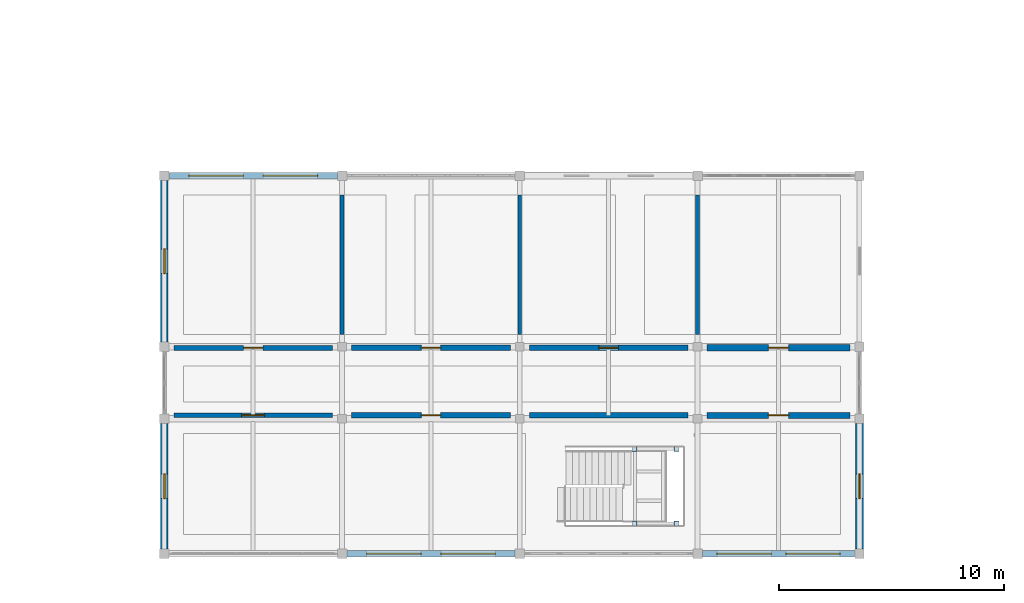
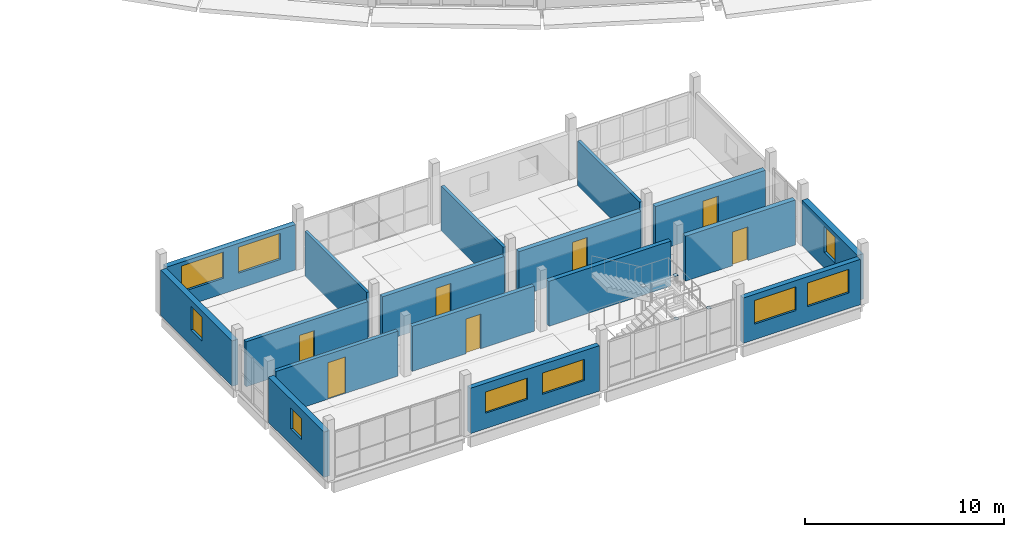
# One storey, part 55 of 77: 17 walls, 9 windows, 7 doors, 4 plates, 16 openings.
"""IFC4 building model written with IfcOpenShell, lengths in metres."""

from ifc_helpers import new_model, si_unit, direction, frame, frame_2d, origin, origin_2d, place, context, subcontext, project, spatial, rectangle, extrude, material, layer, layer_set, type_object, element, fill, save


model = new_model("IFC4")

# Units and contexts
model_context = context("Model", 3, precision=1e-05, world=origin(), true_north=direction((0.0, 1.0)))
body_context = subcontext(model_context, "Body", "Model", "MODEL_VIEW")
ifc_project = project(units=[si_unit("LENGTHUNIT", "METRE"), si_unit("AREAUNIT", "SQUARE_METRE"), si_unit("VOLUMEUNIT", "CUBIC_METRE"), si_unit("PLANEANGLEUNIT", "RADIAN"), si_unit("MASSUNIT", "GRAM", prefix="KILO")], contexts=[model_context])

# Site, building, storey
site_placement = place(None, origin())
site = spatial("IfcSite", under=ifc_project, at=site_placement, CompositionType="ELEMENT")
building_placement = place(site_placement, origin())
building = spatial("IfcBuilding", under=site, at=building_placement, Name="Caldaven Crescent School", CompositionType="ELEMENT")
storey_placement = place(building_placement, frame((0.0, 0.0, 4.419921875)))
storey = spatial("IfcBuildingStorey", under=building, at=storey_placement, Name="L01", CompositionType="ELEMENT", Elevation=4.419921875)

# Plates
ifc_material_1 = material(Name="Steel ASTM A572 Grade 50", Category="steel")
ifc_layer_1 = layer(ifc_material_1, 0.01806640625)
ifc_layer_set_1 = layer_set([ifc_layer_1], Name="Steel ASTM A572 Grade 50")
plate_type = type_object("IfcPlateType", Name="PLT-CAP18", PredefinedType="USERDEFINED", material=ifc_layer_set_1)
for number, where, z_axis, x_axis, name in (
    (1, (46.389892578125, 5.5400390625, 1.675048828125), (0.0, 0.0, 1.0), (1.0, 0.0, 0.0), "CAP-STPOST-STV4S-L01-A"),
    (2, (46.389892578125, 8.860107421875, 1.675048828125), (0.0, 0.0, 1.0), (1.0, 0.0, 0.0), "CAP-STPOST-STV4S-L01-B"),
    (3, (48.27001953125, 5.5400390625, 1.675048828125), (0.0, 0.0, 1.0), (1.0, 0.0, 0.0), "CAP-STPOST-STV4S-L01-C"),
    (4, (48.27001953125, 8.860107421875, 1.675048828125), (0.0, 0.0, 1.0), (1.0, 0.0, 0.0), "CAP-STPOST-STV4S-L01-D"),
):
    element("IfcPlate", number, at=place(storey_placement, frame(where, z_axis=z_axis, x_axis=x_axis)), inside=storey, type_object=plate_type, Name=name, ObjectType="CAP_PLATE", PredefinedType="USERDEFINED", context=body_context, shape_type="SweptSolid", body=[
        extrude(rectangle(XDim=0.219970703125, YDim=0.219970703125, at=origin_2d()), origin(), (0.0, 0.0, 1.0), 0.01806640625),
    ])

# Wall, openings, windows
ifc_material_2 = material(Name="Precast concrete C35/45", Category="concrete")
ifc_layer_2 = layer(ifc_material_2, 0.27587890625)
ifc_layer_set_2 = layer_set([ifc_layer_2], Name="Precast concrete C35/45")
wall_type_1 = type_object("IfcWallType", Name="WAL-EW08", PredefinedType="STANDARD", material=ifc_layer_set_2)
wall_1_placement = place(storey_placement, frame((33.613037109375, 4.199951171875, 0.0), z_axis=(0.0, 0.0, 1.0), x_axis=(1.0, 0.0, 0.0)))
wall_1 = element("IfcWall", 5, at=wall_1_placement, inside=storey, type_object=wall_type_1, Name="EW-L01-063", PredefinedType="STANDARD", context=body_context, shape_type="SweptSolid", body=[
    extrude(rectangle(XDim=7.473876953125, YDim=0.27587890625, at=frame_2d((3.73681640625, 0.0))), origin(), (0.0, 0.0, 1.0), 2.780029296875),
])
opening_1_placement = place(wall_1_placement, frame((0.8779296875, 0.0, 0.949951171875)))
opening_1 = element("IfcOpeningElement", 6, at=opening_1_placement, cuts=wall_1, Name="Opening W46", PredefinedType="OPENING", context=body_context, shape_type="SweptSolid", body=[
    extrude(rectangle(XDim=2.419921875, YDim=1.300048828125, at=frame_2d((1.2099609375, 0.64990234375))), frame((0.0, 0.14794921875, 0.0), z_axis=(0.0, -1.0, 0.0), x_axis=(1.0, 0.0, 0.0)), (0.0, 0.0, 1.0), 0.2958984375),
])
opening_2_placement = place(wall_1_placement, frame((4.176025390625, 0.0, 0.949951171875)))
opening_2 = element("IfcOpeningElement", 7, at=opening_2_placement, cuts=wall_1, Name="Opening W46", PredefinedType="OPENING", context=body_context, shape_type="SweptSolid", body=[
    extrude(rectangle(XDim=2.419921875, YDim=1.300048828125, at=frame_2d((1.2099609375, 0.64990234375))), frame((0.0, 0.14794921875, 0.0), z_axis=(0.0, -1.0, 0.0), x_axis=(1.0, 0.0, 0.0)), (0.0, 0.0, 1.0), 0.2958984375),
])
ifc_material_3 = material(Name="Thermally broken anodised aluminium AA 6063-T6 and low-E double glazing", Category="aluminium")
window_type_1 = type_object("IfcWindowType", Name="WIN-W46", PartitioningType="SINGLE_PANEL", PredefinedType="WINDOW", material=ifc_material_3)
window_1_placement = place(opening_1_placement, origin())
window_1 = element("IfcWindow", 8, at=window_1_placement, inside=storey, type_object=window_type_1, Name="WIN-L01-045-1", OverallHeight=1.300048828125, OverallWidth=2.419921875, PartitioningType="SINGLE_PANEL", PredefinedType="WINDOW", context=body_context, shape_type="SweptSolid", body=[
    extrude(rectangle(XDim=2.419921875, YDim=1.300048828125, at=frame_2d((1.2099609375, 0.64990234375))), frame((0.0, 0.030029296875, 0.0), z_axis=(0.0, -1.0, 0.0), x_axis=(1.0, 0.0, 0.0)), (0.0, 0.0, 1.0), 0.06005859375),
])
fill(opening_1, window_1)
window_2_placement = place(opening_2_placement, origin())
window_2 = element("IfcWindow", 9, at=window_2_placement, inside=storey, type_object=window_type_1, Name="WIN-L01-045-2", OverallHeight=1.300048828125, OverallWidth=2.419921875, PartitioningType="SINGLE_PANEL", PredefinedType="WINDOW", context=body_context, shape_type="SweptSolid", body=[
    extrude(rectangle(XDim=2.419921875, YDim=1.300048828125, at=frame_2d((1.2099609375, 0.64990234375))), frame((0.0, 0.030029296875, 0.0), z_axis=(0.0, -1.0, 0.0), x_axis=(1.0, 0.0, 0.0)), (0.0, 0.0, 1.0), 0.06005859375),
])
fill(opening_2, window_2)

ifc_layer_3 = layer(ifc_material_2, 0.2880859375)
ifc_layer_set_3 = layer_set([ifc_layer_3], Name="Precast concrete C35/45")
wall_type_2 = type_object("IfcWallType", Name="WAL-EW09", PredefinedType="STANDARD", material=ifc_layer_set_3)
wall_2_placement = place(storey_placement, frame((49.4130859375, 4.199951171875, 0.0), z_axis=(0.0, 0.0, 1.0), x_axis=(1.0, 0.0, 0.0)))
wall_2 = element("IfcWall", 10, at=wall_2_placement, inside=storey, type_object=wall_type_2, Name="EW-L01-064", PredefinedType="STANDARD", context=body_context, shape_type="SweptSolid", body=[
    extrude(rectangle(XDim=6.77392578125, YDim=0.2880859375, at=frame_2d((3.386962890625, 0.0))), origin(), (0.0, 0.0, 1.0), 2.780029296875),
])
opening_3_placement = place(wall_2_placement, frame((0.644775390625, 0.0, 0.949951171875)))
opening_3 = element("IfcOpeningElement", 11, at=opening_3_placement, cuts=wall_2, Name="Opening W47", PredefinedType="OPENING", context=body_context, shape_type="SweptSolid", body=[
    extrude(rectangle(XDim=2.419921875, YDim=1.449951171875, at=frame_2d((1.2099609375, 0.72509765625))), frame((0.0, 0.154052734375, 0.0), z_axis=(0.0, -1.0, 0.0), x_axis=(1.0, 0.0, 0.0)), (0.0, 0.0, 1.0), 0.30810546875),
])
opening_4_placement = place(wall_2_placement, frame((3.709228515625, 0.0, 0.949951171875)))
opening_4 = element("IfcOpeningElement", 12, at=opening_4_placement, cuts=wall_2, Name="Opening W47", PredefinedType="OPENING", context=body_context, shape_type="SweptSolid", body=[
    extrude(rectangle(XDim=2.419921875, YDim=1.449951171875, at=frame_2d((1.2099609375, 0.72509765625))), frame((0.0, 0.154052734375, 0.0), z_axis=(0.0, -1.0, 0.0), x_axis=(1.0, 0.0, 0.0)), (0.0, 0.0, 1.0), 0.30810546875),
])
window_type_2 = type_object("IfcWindowType", Name="WIN-W47", PartitioningType="SINGLE_PANEL", PredefinedType="WINDOW", material=ifc_material_3)
window_3_placement = place(opening_3_placement, origin())
window_3 = element("IfcWindow", 13, at=window_3_placement, inside=storey, type_object=window_type_2, Name="WIN-L01-046-1", OverallHeight=1.449951171875, OverallWidth=2.419921875, PartitioningType="SINGLE_PANEL", PredefinedType="WINDOW", context=body_context, shape_type="SweptSolid", body=[
    extrude(rectangle(XDim=2.419921875, YDim=1.449951171875, at=frame_2d((1.2099609375, 0.72509765625))), frame((0.0, 0.030029296875, 0.0), z_axis=(0.0, -1.0, 0.0), x_axis=(1.0, 0.0, 0.0)), (0.0, 0.0, 1.0), 0.06005859375),
])
fill(opening_3, window_3)
window_4_placement = place(opening_4_placement, origin())
window_4 = element("IfcWindow", 14, at=window_4_placement, inside=storey, type_object=window_type_2, Name="WIN-L01-046-2", OverallHeight=1.449951171875, OverallWidth=2.419921875, PartitioningType="SINGLE_PANEL", PredefinedType="WINDOW", context=body_context, shape_type="SweptSolid", body=[
    extrude(rectangle(XDim=2.419921875, YDim=1.449951171875, at=frame_2d((1.2099609375, 0.72509765625))), frame((0.0, 0.030029296875, 0.0), z_axis=(0.0, -1.0, 0.0), x_axis=(1.0, 0.0, 0.0)), (0.0, 0.0, 1.0), 0.06005859375),
])
fill(opening_4, window_4)

ifc_layer_4 = layer(ifc_material_2, 0.300048828125)
ifc_layer_set_4 = layer_set([ifc_layer_4], Name="Precast concrete C35/45")
wall_type_3 = type_object("IfcWallType", Name="WAL-EW10", PredefinedType="STANDARD", material=ifc_layer_set_4)
wall_3_placement = place(storey_placement, frame((25.712890625, 21.0, 0.0), z_axis=(0.0, 0.0, 1.0), x_axis=(1.0, 0.0, 0.0)))
wall_3 = element("IfcWall", 15, at=wall_3_placement, inside=storey, type_object=wall_type_3, Name="EW-L01-065", PredefinedType="STANDARD", context=body_context, shape_type="SweptSolid", body=[
    extrude(rectangle(XDim=7.47412109375, YDim=0.300048828125, at=frame_2d((3.737060546875, 0.0))), origin(), (0.0, 0.0, 1.0), 2.780029296875),
])
opening_5_placement = place(wall_3_placement, frame((0.8779296875, 0.0, 0.949951171875)))
opening_5 = element("IfcOpeningElement", 16, at=opening_5_placement, cuts=wall_3, Name="Opening W48", PredefinedType="OPENING", context=body_context, shape_type="SweptSolid", body=[
    extrude(rectangle(XDim=2.419921875, YDim=1.60009765625, at=frame_2d((1.2099609375, 0.800048828125))), frame((0.0, 0.159912109375, 0.0), z_axis=(0.0, -1.0, 0.0), x_axis=(1.0, 0.0, 0.0)), (0.0, 0.0, 1.0), 0.320068359375),
])
opening_6_placement = place(wall_3_placement, frame((4.176025390625, 0.0, 0.949951171875)))
opening_6 = element("IfcOpeningElement", 17, at=opening_6_placement, cuts=wall_3, Name="Opening W48", PredefinedType="OPENING", context=body_context, shape_type="SweptSolid", body=[
    extrude(rectangle(XDim=2.419921875, YDim=1.60009765625, at=frame_2d((1.2099609375, 0.800048828125))), frame((0.0, 0.159912109375, 0.0), z_axis=(0.0, -1.0, 0.0), x_axis=(1.0, 0.0, 0.0)), (0.0, 0.0, 1.0), 0.320068359375),
])
window_type_3 = type_object("IfcWindowType", Name="WIN-W48", PartitioningType="SINGLE_PANEL", PredefinedType="WINDOW", material=ifc_material_3)
window_5_placement = place(opening_5_placement, origin())
window_5 = element("IfcWindow", 18, at=window_5_placement, inside=storey, type_object=window_type_3, Name="WIN-L01-047-1", OverallHeight=1.60009765625, OverallWidth=2.419921875, PartitioningType="SINGLE_PANEL", PredefinedType="WINDOW", context=body_context, shape_type="SweptSolid", body=[
    extrude(rectangle(XDim=2.419921875, YDim=1.60009765625, at=frame_2d((1.2099609375, 0.800048828125))), frame((0.0, 0.030029296875, 0.0), z_axis=(0.0, -1.0, 0.0), x_axis=(1.0, 0.0, 0.0)), (0.0, 0.0, 1.0), 0.06005859375),
])
fill(opening_5, window_5)
window_6_placement = place(opening_6_placement, origin())
window_6 = element("IfcWindow", 19, at=window_6_placement, inside=storey, type_object=window_type_3, Name="WIN-L01-047-2", OverallHeight=1.60009765625, OverallWidth=2.419921875, PartitioningType="SINGLE_PANEL", PredefinedType="WINDOW", context=body_context, shape_type="SweptSolid", body=[
    extrude(rectangle(XDim=2.419921875, YDim=1.60009765625, at=frame_2d((1.2099609375, 0.800048828125))), frame((0.0, 0.030029296875, 0.0), z_axis=(0.0, -1.0, 0.0), x_axis=(1.0, 0.0, 0.0)), (0.0, 0.0, 1.0), 0.06005859375),
])
fill(opening_6, window_6)

# Wall, opening, window
ifc_layer_5 = layer(ifc_material_2, 0.323974609375)
ifc_layer_set_5 = layer_set([ifc_layer_5], Name="Precast concrete C35/45")
wall_type_4 = type_object("IfcWallType", Name="WAL-EW12", PredefinedType="STANDARD", material=ifc_layer_set_5)
wall_4_placement = place(storey_placement, frame((25.5, 4.4130859375, 0.0), z_axis=(0.0, 0.0, 1.0), x_axis=(0.0, 1.0, 0.0)))
wall_4 = element("IfcWall", 20, at=wall_4_placement, inside=storey, type_object=wall_type_4, Name="EW-L01-067", PredefinedType="STANDARD", context=body_context, shape_type="SweptSolid", body=[
    extrude(rectangle(XDim=5.573974609375, YDim=0.323974609375, at=frame_2d((2.787109375, 0.0))), origin(), (0.0, 0.0, 1.0), 2.780029296875),
])
opening_7_placement = place(wall_4_placement, frame((2.237060546875, 0.0, 0.949951171875)))
opening_7 = element("IfcOpeningElement", 21, at=opening_7_placement, cuts=wall_4, Name="Opening W02", PredefinedType="OPENING", context=body_context, shape_type="SweptSolid", body=[
    extrude(rectangle(XDim=1.10009765625, YDim=1.300048828125, at=frame_2d((0.550048828125, 0.64990234375))), frame((0.0, 0.171875, 0.0), z_axis=(0.0, -1.0, 0.0), x_axis=(1.0, 0.0, 0.0)), (0.0, 0.0, 1.0), 0.343994140625),
])
window_type_4 = type_object("IfcWindowType", Name="WIN-W02", PartitioningType="SINGLE_PANEL", PredefinedType="WINDOW", material=ifc_material_3)
window_7_placement = place(opening_7_placement, origin())
window_7 = element("IfcWindow", 22, at=window_7_placement, inside=storey, type_object=window_type_4, Name="WIN-L01-049-1", OverallHeight=1.300048828125, OverallWidth=1.10009765625, PartitioningType="SINGLE_PANEL", PredefinedType="WINDOW", context=body_context, shape_type="SweptSolid", body=[
    extrude(rectangle(XDim=1.10009765625, YDim=1.300048828125, at=frame_2d((0.550048828125, 0.64990234375))), frame((0.0, 0.030029296875, 0.0), z_axis=(0.0, -1.0, 0.0), x_axis=(1.0, 0.0, 0.0)), (0.0, 0.0, 1.0), 0.06005859375),
])
fill(opening_7, window_7)

ifc_layer_6 = layer(ifc_material_2, 0.3359375)
ifc_layer_set_6 = layer_set([ifc_layer_6], Name="Precast concrete C35/45")
wall_type_5 = type_object("IfcWallType", Name="WAL-EW13", PredefinedType="STANDARD", material=ifc_layer_set_6)
wall_5_placement = place(storey_placement, frame((25.5, 13.613037109375, 0.0), z_axis=(0.0, 0.0, 1.0), x_axis=(0.0, 1.0, 0.0)))
wall_5 = element("IfcWall", 23, at=wall_5_placement, inside=storey, type_object=wall_type_5, Name="EW-L01-068", PredefinedType="STANDARD", context=body_context, shape_type="SweptSolid", body=[
    extrude(rectangle(XDim=7.174072265625, YDim=0.3359375, at=frame_2d((3.5869140625, 0.0))), origin(), (0.0, 0.0, 1.0), 2.780029296875),
])
opening_8_placement = place(wall_5_placement, frame((3.037109375, 0.0, 0.949951171875)))
opening_8 = element("IfcOpeningElement", 24, at=opening_8_placement, cuts=wall_5, Name="Opening W03", PredefinedType="OPENING", context=body_context, shape_type="SweptSolid", body=[
    extrude(rectangle(XDim=1.10009765625, YDim=1.449951171875, at=frame_2d((0.550048828125, 0.72509765625))), frame((0.0, 0.177978515625, 0.0), z_axis=(0.0, -1.0, 0.0), x_axis=(1.0, 0.0, 0.0)), (0.0, 0.0, 1.0), 0.35595703125),
])
window_type_5 = type_object("IfcWindowType", Name="WIN-W03", PartitioningType="SINGLE_PANEL", PredefinedType="WINDOW", material=ifc_material_3)
window_8_placement = place(opening_8_placement, origin())
window_8 = element("IfcWindow", 25, at=window_8_placement, inside=storey, type_object=window_type_5, Name="WIN-L01-050-1", OverallHeight=1.449951171875, OverallWidth=1.10009765625, PartitioningType="SINGLE_PANEL", PredefinedType="WINDOW", context=body_context, shape_type="SweptSolid", body=[
    extrude(rectangle(XDim=1.10009765625, YDim=1.449951171875, at=frame_2d((0.550048828125, 0.72509765625))), frame((0.0, 0.030029296875, 0.0), z_axis=(0.0, -1.0, 0.0), x_axis=(1.0, 0.0, 0.0)), (0.0, 0.0, 1.0), 0.06005859375),
])
fill(opening_8, window_8)

ifc_layer_7 = layer(ifc_material_2, 0.347900390625)
ifc_layer_set_7 = layer_set([ifc_layer_7], Name="Precast concrete C35/45")
wall_type_6 = type_object("IfcWallType", Name="WAL-EW14", PredefinedType="STANDARD", material=ifc_layer_set_7)
wall_6_placement = place(storey_placement, frame((56.39990234375, 4.4130859375, 0.0), z_axis=(0.0, 0.0, 1.0), x_axis=(0.0, 1.0, 0.0)))
wall_6 = element("IfcWall", 26, at=wall_6_placement, inside=storey, type_object=wall_type_6, Name="EW-L01-069", PredefinedType="STANDARD", context=body_context, shape_type="SweptSolid", body=[
    extrude(rectangle(XDim=5.573974609375, YDim=0.347900390625, at=frame_2d((2.787109375, 0.0))), origin(), (0.0, 0.0, 1.0), 2.780029296875),
])
opening_9_placement = place(wall_6_placement, frame((2.237060546875, 0.0, 0.949951171875)))
opening_9 = element("IfcOpeningElement", 27, at=opening_9_placement, cuts=wall_6, Name="Opening W04", PredefinedType="OPENING", context=body_context, shape_type="SweptSolid", body=[
    extrude(rectangle(XDim=1.10009765625, YDim=1.60009765625, at=frame_2d((0.550048828125, 0.800048828125))), frame((0.0, 0.183837890625, 0.0), z_axis=(0.0, -1.0, 0.0), x_axis=(1.0, 0.0, 0.0)), (0.0, 0.0, 1.0), 0.367919921875),
])
window_type_6 = type_object("IfcWindowType", Name="WIN-W04", PartitioningType="SINGLE_PANEL", PredefinedType="WINDOW", material=ifc_material_3)
window_9_placement = place(opening_9_placement, origin())
window_9 = element("IfcWindow", 28, at=window_9_placement, inside=storey, type_object=window_type_6, Name="WIN-L01-051-1", OverallHeight=1.60009765625, OverallWidth=1.10009765625, PartitioningType="SINGLE_PANEL", PredefinedType="WINDOW", context=body_context, shape_type="SweptSolid", body=[
    extrude(rectangle(XDim=1.10009765625, YDim=1.60009765625, at=frame_2d((0.550048828125, 0.800048828125))), frame((0.0, 0.030029296875, 0.0), z_axis=(0.0, -1.0, 0.0), x_axis=(1.0, 0.0, 0.0)), (0.0, 0.0, 1.0), 0.06005859375),
])
fill(opening_9, window_9)

# Wall, opening, door
ifc_material_4 = material(Name="Acoustic timber-stud and fire-rated gypsum board assembly", Category="wood")
ifc_layer_8 = layer(ifc_material_4, 0.2099609375)
ifc_layer_set_8 = layer_set([ifc_layer_8], Name="Acoustic timber-stud and fire-rated gypsum board assembly")
wall_type_7 = type_object("IfcWallType", Name="WAL-IW06", PredefinedType="STANDARD", material=ifc_layer_set_8)
wall_7_placement = place(storey_placement, frame((25.919921875, 10.35009765625, 0.0), z_axis=(0.0, 0.0, 1.0), x_axis=(1.0, 0.0, 0.0)))
wall_7 = element("IfcWall", 29, at=wall_7_placement, inside=storey, type_object=wall_type_7, Name="IW-L01-0117", PredefinedType="STANDARD", context=body_context, shape_type="SweptSolid", body=[
    extrude(rectangle(XDim=7.06005859375, YDim=0.2099609375, at=frame_2d((3.530029296875, 0.0))), origin(), (0.0, 0.0, 1.0), 2.75),
])
opening_10_placement = place(wall_7_placement, frame((3.02001953125, 0.0, 0.0)))
opening_10 = element("IfcOpeningElement", 30, at=opening_10_placement, cuts=wall_7, Name="Opening D-L01-I079", PredefinedType="OPENING", context=body_context, shape_type="SweptSolid", body=[
    extrude(rectangle(XDim=1.02001953125, YDim=2.239990234375, at=frame_2d((0.510009765625, 1.1201171875))), frame((0.0, 0.114990234375, 0.0), z_axis=(0.0, -1.0, 0.0), x_axis=(1.0, 0.0, 0.0)), (0.0, 0.0, 1.0), 0.22998046875),
])
ifc_material_5 = material(Name="Solid-core Pino Radiata acoustic timber leaf in steel frame", Category="steel")
door_type_1 = type_object("IfcDoorType", Name="DOR-ID20", OperationType="NOTDEFINED", PredefinedType="DOOR", material=ifc_material_5)
door_1_placement = place(opening_10_placement, origin())
door_1 = element("IfcDoor", 31, at=door_1_placement, inside=storey, type_object=door_type_1, Name="DOR-INT-L01-0079", OperationType="SINGLE_SWING_RIGHT", OverallHeight=2.239990234375, OverallWidth=1.02001953125, PredefinedType="DOOR", context=body_context, shape_type="SweptSolid", body=[
    extrude(rectangle(XDim=1.02001953125, YDim=2.239990234375, at=frame_2d((0.510009765625, 1.1201171875))), frame((0.0, 0.02490234375, 0.0), z_axis=(0.0, -1.0, 0.0), x_axis=(1.0, 0.0, 0.0)), (0.0, 0.0, 1.0), 0.050048828125),
])
fill(opening_10, door_1)

ifc_layer_9 = layer(ifc_material_4, 0.219970703125)
ifc_layer_set_9 = layer_set([ifc_layer_9], Name="Acoustic timber-stud and fire-rated gypsum board assembly")
wall_type_8 = type_object("IfcWallType", Name="WAL-IW07", PredefinedType="STANDARD", material=ifc_layer_set_9)
wall_8_placement = place(storey_placement, frame((25.919921875, 13.35009765625, 0.0), z_axis=(0.0, 0.0, 1.0), x_axis=(1.0, 0.0, 0.0)))
wall_8 = element("IfcWall", 32, at=wall_8_placement, inside=storey, type_object=wall_type_8, Name="IW-L01-0118", PredefinedType="STANDARD", context=body_context, shape_type="SweptSolid", body=[
    extrude(rectangle(XDim=7.06005859375, YDim=0.219970703125, at=frame_2d((3.530029296875, 0.0))), origin(), (0.0, 0.0, 1.0), 2.75),
])
opening_11_placement = place(wall_8_placement, frame((3.10009765625, 0.0, 0.0)))
opening_11 = element("IfcOpeningElement", 33, at=opening_11_placement, cuts=wall_8, Name="Opening D-L01-I080", PredefinedType="OPENING", context=body_context, shape_type="SweptSolid", body=[
    extrude(rectangle(XDim=0.860107421875, YDim=2.06005859375, at=frame_2d((0.43017578125, 1.030029296875))), frame((0.0, 0.119873046875, 0.0), z_axis=(0.0, -1.0, 0.0), x_axis=(1.0, 0.0, 0.0)), (0.0, 0.0, 1.0), 0.239990234375),
])
door_type_2 = type_object("IfcDoorType", Name="DOR-ID01", OperationType="NOTDEFINED", PredefinedType="DOOR", material=ifc_material_5)
door_2_placement = place(opening_11_placement, frame((0.860107421875, 0.0, 0.0), z_axis=(0.0, 0.0, 1.0), x_axis=(-1.0, 0.0, 0.0)))
door_2 = element("IfcDoor", 34, at=door_2_placement, inside=storey, type_object=door_type_2, Name="DOR-INT-L01-0080", OperationType="SINGLE_SWING_LEFT", OverallHeight=2.06005859375, OverallWidth=0.860107421875, PredefinedType="DOOR", context=body_context, shape_type="SweptSolid", body=[
    extrude(rectangle(XDim=0.860107421875, YDim=2.06005859375, at=frame_2d((0.43017578125, 1.030029296875))), frame((0.0, 0.02490234375, 0.0), z_axis=(0.0, -1.0, 0.0), x_axis=(1.0, 0.0, 0.0)), (0.0, 0.0, 1.0), 0.050048828125),
])
fill(opening_11, door_2)

ifc_layer_10 = layer(ifc_material_4, 0.22998046875)
ifc_layer_set_10 = layer_set([ifc_layer_10], Name="Acoustic timber-stud and fire-rated gypsum board assembly")
wall_type_9 = type_object("IfcWallType", Name="WAL-IW08", PredefinedType="STANDARD", material=ifc_layer_set_10)
wall_9_placement = place(storey_placement, frame((33.820068359375, 10.35009765625, 0.0), z_axis=(0.0, 0.0, 1.0), x_axis=(1.0, 0.0, 0.0)))
wall_9 = element("IfcWall", 35, at=wall_9_placement, inside=storey, type_object=wall_type_9, Name="IW-L01-0119", PredefinedType="STANDARD", context=body_context, shape_type="SweptSolid", body=[
    extrude(rectangle(XDim=7.059814453125, YDim=0.22998046875, at=frame_2d((3.52978515625, 0.0))), origin(), (0.0, 0.0, 1.0), 2.75),
])
opening_12_placement = place(wall_9_placement, frame((3.10009765625, 0.0, 0.0)))
opening_12 = element("IfcOpeningElement", 36, at=opening_12_placement, cuts=wall_9, Name="Opening D-L01-I081", PredefinedType="OPENING", context=body_context, shape_type="SweptSolid", body=[
    extrude(rectangle(XDim=0.860107421875, YDim=2.1201171875, at=frame_2d((0.43017578125, 1.06005859375))), frame((0.0, 0.125, 0.0), z_axis=(0.0, -1.0, 0.0), x_axis=(1.0, 0.0, 0.0)), (0.0, 0.0, 1.0), 0.25),
])
door_type_3 = type_object("IfcDoorType", Name="DOR-ID02", OperationType="NOTDEFINED", PredefinedType="DOOR", material=ifc_material_5)
door_3_placement = place(opening_12_placement, origin())
door_3 = element("IfcDoor", 37, at=door_3_placement, inside=storey, type_object=door_type_3, Name="DOR-INT-L01-0081", OperationType="SINGLE_SWING_RIGHT", OverallHeight=2.1201171875, OverallWidth=0.860107421875, PredefinedType="DOOR", context=body_context, shape_type="SweptSolid", body=[
    extrude(rectangle(XDim=0.860107421875, YDim=2.1201171875, at=frame_2d((0.43017578125, 1.06005859375))), frame((0.0, 0.02490234375, 0.0), z_axis=(0.0, -1.0, 0.0), x_axis=(1.0, 0.0, 0.0)), (0.0, 0.0, 1.0), 0.050048828125),
])
fill(opening_12, door_3)

ifc_layer_11 = layer(ifc_material_4, 0.239990234375)
ifc_layer_set_11 = layer_set([ifc_layer_11], Name="Acoustic timber-stud and fire-rated gypsum board assembly")
wall_type_10 = type_object("IfcWallType", Name="WAL-IW09", PredefinedType="STANDARD", material=ifc_layer_set_11)
wall_10_placement = place(storey_placement, frame((33.820068359375, 13.35009765625, 0.0), z_axis=(0.0, 0.0, 1.0), x_axis=(1.0, 0.0, 0.0)))
wall_10 = element("IfcWall", 38, at=wall_10_placement, inside=storey, type_object=wall_type_10, Name="IW-L01-0120", PredefinedType="STANDARD", context=body_context, shape_type="SweptSolid", body=[
    extrude(rectangle(XDim=7.059814453125, YDim=0.239990234375, at=frame_2d((3.52978515625, 0.0))), origin(), (0.0, 0.0, 1.0), 2.75),
])
opening_13_placement = place(wall_10_placement, frame((3.10009765625, 0.0, 0.0)))
opening_13 = element("IfcOpeningElement", 39, at=opening_13_placement, cuts=wall_10, Name="Opening D-L01-I082", PredefinedType="OPENING", context=body_context, shape_type="SweptSolid", body=[
    extrude(rectangle(XDim=0.860107421875, YDim=2.179931640625, at=frame_2d((0.43017578125, 1.08984375))), frame((0.0, 0.1298828125, 0.0), z_axis=(0.0, -1.0, 0.0), x_axis=(1.0, 0.0, 0.0)), (0.0, 0.0, 1.0), 0.260009765625),
])
door_type_4 = type_object("IfcDoorType", Name="DOR-ID03", OperationType="NOTDEFINED", PredefinedType="DOOR", material=ifc_material_5)
door_4_placement = place(opening_13_placement, frame((0.860107421875, 0.0, 0.0), z_axis=(0.0, 0.0, 1.0), x_axis=(-1.0, 0.0, 0.0)))
door_4 = element("IfcDoor", 40, at=door_4_placement, inside=storey, type_object=door_type_4, Name="DOR-INT-L01-0082", OperationType="SINGLE_SWING_LEFT", OverallHeight=2.179931640625, OverallWidth=0.860107421875, PredefinedType="DOOR", context=body_context, shape_type="SweptSolid", body=[
    extrude(rectangle(XDim=0.860107421875, YDim=2.179931640625, at=frame_2d((0.43017578125, 1.08984375))), frame((0.0, 0.02490234375, 0.0), z_axis=(0.0, -1.0, 0.0), x_axis=(1.0, 0.0, 0.0)), (0.0, 0.0, 1.0), 0.050048828125),
])
fill(opening_13, door_4)

# Wall
ifc_layer_12 = layer(ifc_material_4, 0.25)
ifc_layer_set_12 = layer_set([ifc_layer_12], Name="Acoustic timber-stud and fire-rated gypsum board assembly")
wall_type_11 = type_object("IfcWallType", Name="WAL-IW10", PredefinedType="STANDARD", material=ifc_layer_set_12)
wall_11_placement = place(storey_placement, frame((41.719970703125, 10.35009765625, 0.0), z_axis=(0.0, 0.0, 1.0), x_axis=(1.0, 0.0, 0.0)))
element("IfcWall", 41, at=wall_11_placement, inside=storey, type_object=wall_type_11, Name="IW-L01-0121", PredefinedType="STANDARD", context=body_context, shape_type="SweptSolid", body=[
    extrude(rectangle(XDim=7.06005859375, YDim=0.25, at=frame_2d((3.530029296875, 0.0))), origin(), (0.0, 0.0, 1.0), 2.75),
])

# Wall, opening, door
ifc_layer_13 = layer(ifc_material_4, 0.260009765625)
ifc_layer_set_13 = layer_set([ifc_layer_13], Name="Acoustic timber-stud and fire-rated gypsum board assembly")
wall_type_12 = type_object("IfcWallType", Name="WAL-IW11", PredefinedType="STANDARD", material=ifc_layer_set_13)
wall_12_placement = place(storey_placement, frame((41.719970703125, 13.35009765625, 0.0), z_axis=(0.0, 0.0, 1.0), x_axis=(1.0, 0.0, 0.0)))
wall_12 = element("IfcWall", 42, at=wall_12_placement, inside=storey, type_object=wall_type_12, Name="IW-L01-0122", PredefinedType="STANDARD", context=body_context, shape_type="SweptSolid", body=[
    extrude(rectangle(XDim=7.06005859375, YDim=0.260009765625, at=frame_2d((3.530029296875, 0.0))), origin(), (0.0, 0.0, 1.0), 2.75),
])
opening_14_placement = place(wall_12_placement, frame((3.10009765625, 0.0, 0.0)))
opening_14 = element("IfcOpeningElement", 43, at=opening_14_placement, cuts=wall_12, Name="Opening D-L01-I083", PredefinedType="OPENING", context=body_context, shape_type="SweptSolid", body=[
    extrude(rectangle(XDim=0.860107421875, YDim=2.239990234375, at=frame_2d((0.43017578125, 1.1201171875))), frame((0.0, 0.139892578125, 0.0), z_axis=(0.0, -1.0, 0.0), x_axis=(1.0, 0.0, 0.0)), (0.0, 0.0, 1.0), 0.280029296875),
])
door_type_5 = type_object("IfcDoorType", Name="DOR-ID04", OperationType="NOTDEFINED", PredefinedType="DOOR", material=ifc_material_5)
door_5_placement = place(opening_14_placement, frame((0.860107421875, 0.0, 0.0), z_axis=(0.0, 0.0, 1.0), x_axis=(-1.0, 0.0, 0.0)))
door_5 = element("IfcDoor", 44, at=door_5_placement, inside=storey, type_object=door_type_5, Name="DOR-INT-L01-0083", OperationType="SINGLE_SWING_RIGHT", OverallHeight=2.239990234375, OverallWidth=0.860107421875, PredefinedType="DOOR", context=body_context, shape_type="SweptSolid", body=[
    extrude(rectangle(XDim=0.860107421875, YDim=2.239990234375, at=frame_2d((0.43017578125, 1.1201171875))), frame((0.0, 0.02490234375, 0.0), z_axis=(0.0, -1.0, 0.0), x_axis=(1.0, 0.0, 0.0)), (0.0, 0.0, 1.0), 0.050048828125),
])
fill(opening_14, door_5)

ifc_material_6 = material(Name="Autoclaved aerated concrete block masonry G5", Category="masonry")
ifc_layer_14 = layer(ifc_material_6, 0.27001953125)
ifc_layer_set_14 = layer_set([ifc_layer_14], Name="Autoclaved aerated concrete block masonry G5")
wall_type_13 = type_object("IfcWallType", Name="WAL-IW12", PredefinedType="STANDARD", material=ifc_layer_set_14)
wall_13_placement = place(storey_placement, frame((49.6201171875, 10.35009765625, 0.0), z_axis=(0.0, 0.0, 1.0), x_axis=(1.0, 0.0, 0.0)))
wall_13 = element("IfcWall", 45, at=wall_13_placement, inside=storey, type_object=wall_type_13, Name="IW-L01-0123", PredefinedType="STANDARD", context=body_context, shape_type="SweptSolid", body=[
    extrude(rectangle(XDim=6.35986328125, YDim=0.27001953125, at=frame_2d((3.179931640625, 0.0))), origin(), (0.0, 0.0, 1.0), 2.75),
])
opening_15_placement = place(wall_13_placement, frame((2.72998046875, 0.0, 0.0)))
opening_15 = element("IfcOpeningElement", 46, at=opening_15_placement, cuts=wall_13, Name="Opening D-L01-I084", PredefinedType="OPENING", context=body_context, shape_type="SweptSolid", body=[
    extrude(rectangle(XDim=0.89990234375, YDim=2.06005859375, at=frame_2d((0.449951171875, 1.030029296875))), frame((0.0, 0.14501953125, 0.0), z_axis=(0.0, -1.0, 0.0), x_axis=(1.0, 0.0, 0.0)), (0.0, 0.0, 1.0), 0.2900390625),
])
door_type_6 = type_object("IfcDoorType", Name="DOR-ID05", OperationType="NOTDEFINED", PredefinedType="DOOR", material=ifc_material_5)
door_6_placement = place(opening_15_placement, origin())
door_6 = element("IfcDoor", 47, at=door_6_placement, inside=storey, type_object=door_type_6, Name="DOR-INT-L01-0084", OperationType="SINGLE_SWING_LEFT", OverallHeight=2.06005859375, OverallWidth=0.89990234375, PredefinedType="DOOR", context=body_context, shape_type="SweptSolid", body=[
    extrude(rectangle(XDim=0.89990234375, YDim=2.06005859375, at=frame_2d((0.449951171875, 1.030029296875))), frame((0.0, 0.02490234375, 0.0), z_axis=(0.0, -1.0, 0.0), x_axis=(1.0, 0.0, 0.0)), (0.0, 0.0, 1.0), 0.050048828125),
])
fill(opening_15, door_6)

ifc_layer_15 = layer(ifc_material_6, 0.280029296875)
ifc_layer_set_15 = layer_set([ifc_layer_15], Name="Autoclaved aerated concrete block masonry G5")
wall_type_14 = type_object("IfcWallType", Name="WAL-IW13", PredefinedType="STANDARD", material=ifc_layer_set_15)
wall_14_placement = place(storey_placement, frame((49.6201171875, 13.35009765625, 0.0), z_axis=(0.0, 0.0, 1.0), x_axis=(1.0, 0.0, 0.0)))
wall_14 = element("IfcWall", 48, at=wall_14_placement, inside=storey, type_object=wall_type_14, Name="IW-L01-0124", PredefinedType="STANDARD", context=body_context, shape_type="SweptSolid", body=[
    extrude(rectangle(XDim=6.35986328125, YDim=0.280029296875, at=frame_2d((3.179931640625, 0.0))), origin(), (0.0, 0.0, 1.0), 2.75),
])
opening_16_placement = place(wall_14_placement, frame((2.72998046875, 0.0, 0.0)))
opening_16 = element("IfcOpeningElement", 49, at=opening_16_placement, cuts=wall_14, Name="Opening D-L01-I085", PredefinedType="OPENING", context=body_context, shape_type="SweptSolid", body=[
    extrude(rectangle(XDim=0.89990234375, YDim=2.1201171875, at=frame_2d((0.449951171875, 1.06005859375))), frame((0.0, 0.14990234375, 0.0), z_axis=(0.0, -1.0, 0.0), x_axis=(1.0, 0.0, 0.0)), (0.0, 0.0, 1.0), 0.300048828125),
])
door_type_7 = type_object("IfcDoorType", Name="DOR-ID06", OperationType="NOTDEFINED", PredefinedType="DOOR", material=ifc_material_5)
door_7_placement = place(opening_16_placement, frame((0.89990234375, 0.0, 0.0), z_axis=(0.0, 0.0, 1.0), x_axis=(-1.0, 0.0, 0.0)))
door_7 = element("IfcDoor", 50, at=door_7_placement, inside=storey, type_object=door_type_7, Name="DOR-INT-L01-0085", OperationType="SINGLE_SWING_RIGHT", OverallHeight=2.1201171875, OverallWidth=0.89990234375, PredefinedType="DOOR", context=body_context, shape_type="SweptSolid", body=[
    extrude(rectangle(XDim=0.89990234375, YDim=2.1201171875, at=frame_2d((0.449951171875, 1.06005859375))), frame((0.0, 0.02490234375, 0.0), z_axis=(0.0, -1.0, 0.0), x_axis=(1.0, 0.0, 0.0)), (0.0, 0.0, 1.0), 0.050048828125),
])
fill(opening_16, door_7)

# Walls
ifc_material_7 = material(Name="Acoustic double-layer gypsum partition on galvanised steel studs", Category="steel")
ifc_layer_16 = layer(ifc_material_7, 0.1640625)
ifc_layer_set_16 = layer_set([ifc_layer_16], Name="Acoustic double-layer gypsum partition on galvanised steel studs")
wall_type_15 = type_object("IfcWallType", Name="WAL-PT14", PredefinedType="PARTITIONING", material=ifc_layer_set_16)
wall_15_placement = place(storey_placement, frame((33.39990234375, 13.949951171875, 0.0), z_axis=(0.0, 0.0, 1.0), x_axis=(0.0, 1.0, 0.0)))
element("IfcWall", 51, at=wall_15_placement, inside=storey, type_object=wall_type_15, Name="IW-L01-0125", PredefinedType="PARTITIONING", context=body_context, shape_type="SweptSolid", body=[
    extrude(rectangle(XDim=6.199951171875, YDim=0.1640625, at=frame_2d((3.10009765625, 0.0))), origin(), (0.0, 0.0, 1.0), 2.75),
])
ifc_layer_17 = layer(ifc_material_7, 0.169921875)
ifc_layer_set_17 = layer_set([ifc_layer_17], Name="Acoustic double-layer gypsum partition on galvanised steel studs")
wall_type_16 = type_object("IfcWallType", Name="WAL-PT15", PredefinedType="PARTITIONING", material=ifc_layer_set_17)
wall_16_placement = place(storey_placement, frame((41.300048828125, 13.949951171875, 0.0), z_axis=(0.0, 0.0, 1.0), x_axis=(0.0, 1.0, 0.0)))
element("IfcWall", 52, at=wall_16_placement, inside=storey, type_object=wall_type_16, Name="IW-L01-0126", PredefinedType="PARTITIONING", context=body_context, shape_type="SweptSolid", body=[
    extrude(rectangle(XDim=6.199951171875, YDim=0.169921875, at=frame_2d((3.10009765625, 0.0))), origin(), (0.0, 0.0, 1.0), 2.75),
])
ifc_layer_18 = layer(ifc_material_7, 0.176025390625)
ifc_layer_set_18 = layer_set([ifc_layer_18], Name="Acoustic double-layer gypsum partition on galvanised steel studs")
wall_type_17 = type_object("IfcWallType", Name="WAL-PT16", PredefinedType="PARTITIONING", material=ifc_layer_set_18)
wall_17_placement = place(storey_placement, frame((49.199951171875, 13.949951171875, 0.0), z_axis=(0.0, 0.0, 1.0), x_axis=(0.0, 1.0, 0.0)))
element("IfcWall", 53, at=wall_17_placement, inside=storey, type_object=wall_type_17, Name="IW-L01-0127", PredefinedType="PARTITIONING", context=body_context, shape_type="SweptSolid", body=[
    extrude(rectangle(XDim=6.199951171875, YDim=0.176025390625, at=frame_2d((3.10009765625, 0.0))), origin(), (0.0, 0.0, 1.0), 2.75),
])

save(model, "model.ifc")
